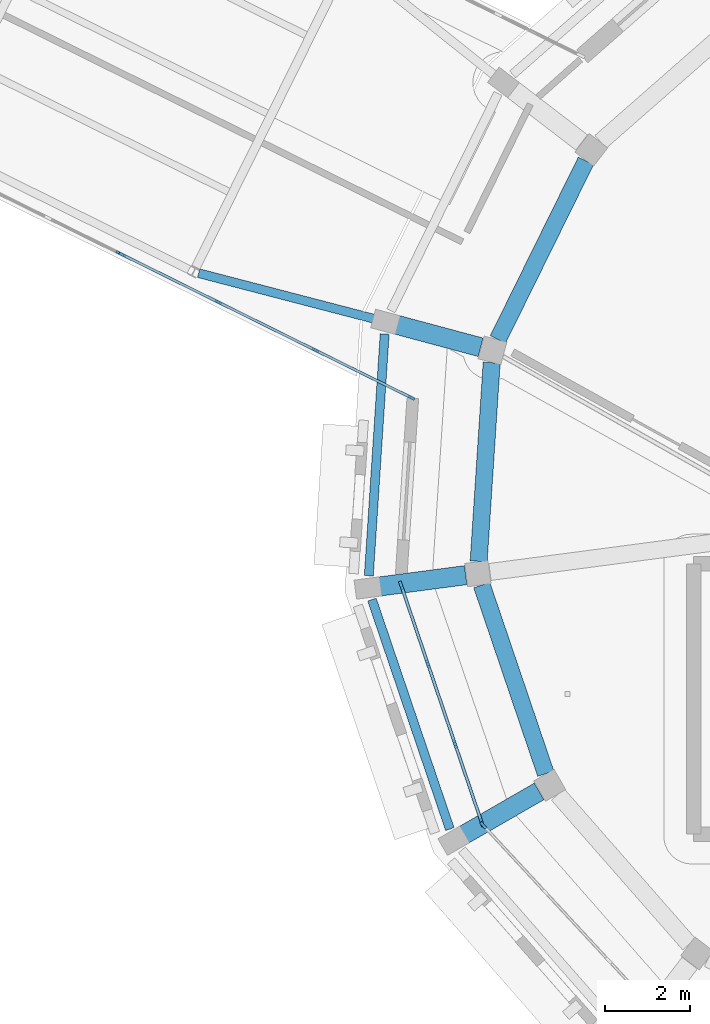
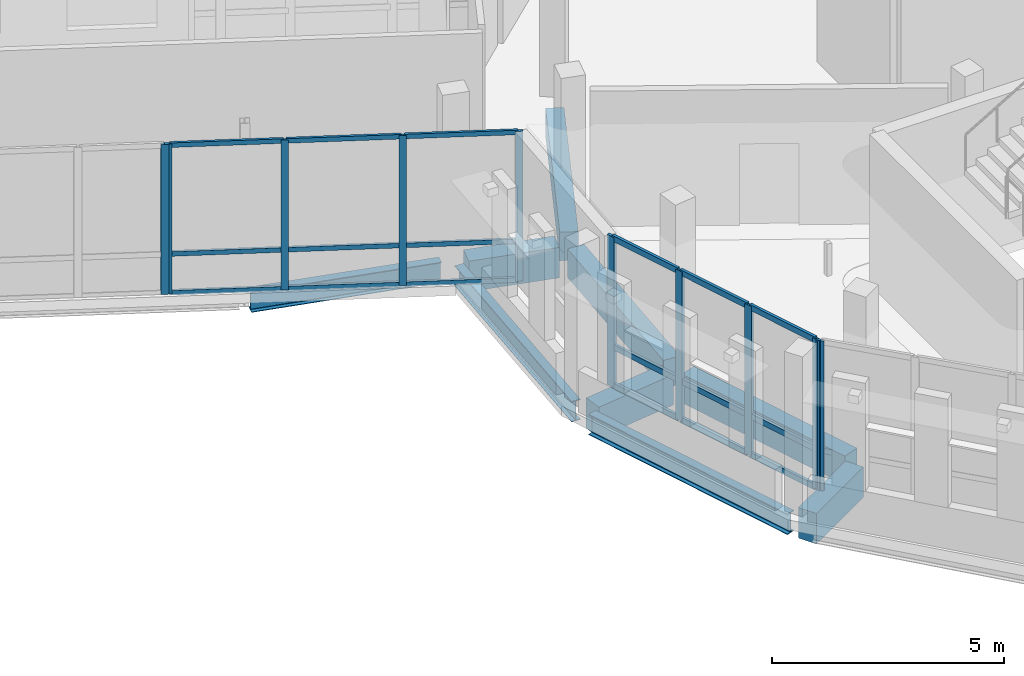
# One storey, part 62 of 125: 28 members, 9 beams, 4 elements without a shape of their own.
"""IFC4 building model written with IfcOpenShell, lengths in metres."""

from ifc_helpers import new_model, si_unit, direction, frame, origin, origin_2d, place, context, subcontext, project, spatial, rectangle, i_section, extrude, material, material_profile, profile_set, type_object, element, aggregate, save


model = new_model("IFC4")

# Units and contexts
model_context = context("Model", 3, precision=1e-05, world=origin(), true_north=direction((0.0, 1.0)))
body_context = subcontext(model_context, "Body", "Model", "MODEL_VIEW")
ifc_project = project(units=[si_unit("LENGTHUNIT", "METRE"), si_unit("AREAUNIT", "SQUARE_METRE"), si_unit("VOLUMEUNIT", "CUBIC_METRE"), si_unit("PLANEANGLEUNIT", "RADIAN"), si_unit("MASSUNIT", "GRAM", prefix="KILO")], contexts=[model_context])

# Site, building, storey
site_placement = place(None, origin())
site = spatial("IfcSite", under=ifc_project, at=site_placement, CompositionType="ELEMENT")
building_placement = place(site_placement, origin())
building = spatial("IfcBuilding", under=site, at=building_placement, Name="Wrenclough Park School", CompositionType="ELEMENT")
storey_placement = place(building_placement, frame((0.0, 0.0, 4.199951171875)))
storey = spatial("IfcBuildingStorey", under=building, at=storey_placement, Name="L01", CompositionType="ELEMENT", Elevation=4.199951171875)

# Curtain wall, members
ifc_material_1 = material(Name="Thermally broken aluminium and low-e glass curtain wall", Category="aluminium")
curtain_wall_type_1 = type_object("IfcCurtainWallType", Name="ENV-CW-16", PredefinedType="USERDEFINED", material=ifc_material_1)
curtain_wall_1_placement = place(storey_placement, origin())
curtain_wall_1 = element("IfcCurtainWall", 1, at=curtain_wall_1_placement, inside=storey, type_object=curtain_wall_type_1, Name="L01 recessed curtain wall assembly 159", ObjectType="CURTAIN WALL", PredefinedType="USERDEFINED")
ifc_material_2 = material(Name="Thermally broken anodised aluminium", Category="aluminium")
ifc_material_profile_1 = material_profile(ifc_material_2, rectangle(XDim=0.06005859375, YDim=0.159912109375, at=origin_2d()), Name="AL MULLION 60x160")
ifc_profile_set_1 = profile_set([ifc_material_profile_1], Name="Thermally broken anodised aluminium")
member_type_1 = type_object("IfcMemberType", Name="ENV-CWM-1", PredefinedType="MULLION", material=ifc_profile_set_1)
member_1_placement = place(storey_placement, frame((159.607666015625, 95.87109375, 0.0), z_axis=(0.0, 0.0, 1.0), x_axis=(-0.443514696909, -0.896267099488, 0.0)))
member_1 = element("IfcMember", 2, at=member_1_placement, type_object=member_type_1, Name="CW-16 mullion 1", PredefinedType="MULLION", context=body_context, shape_type="SweptSolid", body=[
    extrude(rectangle(XDim=0.06005859375, YDim=0.159912109375, at=origin_2d()), origin(), (0.0, 0.0, 1.0), 3.93994140625),
])
member_2_placement = place(storey_placement, frame((157.3544921875, 96.986083984375, 0.0), z_axis=(0.0, 0.0, 1.0), x_axis=(-0.443514696909, -0.896267099488, 0.0)))
member_2 = element("IfcMember", 3, at=member_2_placement, type_object=member_type_1, Name="CW-16 mullion 2", PredefinedType="MULLION", context=body_context, shape_type="SweptSolid", body=[
    extrude(rectangle(XDim=0.06005859375, YDim=0.159912109375, at=origin_2d()), origin(), (0.0, 0.0, 1.0), 3.93994140625),
])
member_3_placement = place(storey_placement, frame((155.074462890625, 98.1142578125, 0.0), z_axis=(0.0, 0.0, 1.0), x_axis=(-0.443514696909, -0.896267099488, 0.0)))
member_3 = element("IfcMember", 4, at=member_3_placement, type_object=member_type_1, Name="CW-16 mullion 3", PredefinedType="MULLION", context=body_context, shape_type="SweptSolid", body=[
    extrude(rectangle(XDim=0.06005859375, YDim=0.159912109375, at=origin_2d()), origin(), (0.0, 0.0, 1.0), 3.93994140625),
])
member_4_placement = place(storey_placement, frame((152.8212890625, 99.229248046875, 0.0), z_axis=(0.0, 0.0, 1.0), x_axis=(-0.443514696909, -0.896267099488, 0.0)))
member_4 = element("IfcMember", 5, at=member_4_placement, type_object=member_type_1, Name="CW-16 mullion 4", PredefinedType="MULLION", context=body_context, shape_type="SweptSolid", body=[
    extrude(rectangle(XDim=0.06005859375, YDim=0.159912109375, at=origin_2d()), origin(), (0.0, 0.0, 1.0), 3.93994140625),
])

# Curtain wall, member
curtain_wall_type_2 = type_object("IfcCurtainWallType", Name="ENV-CW-14", PredefinedType="USERDEFINED", material=ifc_material_1)
curtain_wall_2_placement = place(storey_placement, origin())
curtain_wall_2 = element("IfcCurtainWall", 6, at=curtain_wall_2_placement, inside=storey, type_object=curtain_wall_type_2, Name="L01 recessed curtain wall assembly 157", ObjectType="CURTAIN WALL", PredefinedType="USERDEFINED")
ifc_material_profile_2 = material_profile(ifc_material_2, rectangle(XDim=0.06494140625, YDim=0.179931640625, at=origin_2d()), Name="AL MULLION 65x180")
ifc_profile_set_2 = profile_set([ifc_material_profile_2], Name="Thermally broken anodised aluminium")
member_type_2 = type_object("IfcMemberType", Name="ENV-CWM-2", PredefinedType="MULLION", material=ifc_profile_set_2)
member_5_placement = place(storey_placement, frame((161.2939453125, 85.83447265625, 0.0), z_axis=(0.0, 0.0, 1.0), x_axis=(-0.733012925047, -0.68021471001, 0.0)))
member_5 = element("IfcMember", 7, at=member_5_placement, type_object=member_type_2, Name="CW-14 mullion 4", PredefinedType="MULLION", context=body_context, shape_type="SweptSolid", body=[
    extrude(rectangle(XDim=0.06494140625, YDim=0.179931640625, at=origin_2d()), origin(), (0.0, 0.0, 1.0), 3.93994140625),
])
aggregate(curtain_wall_2, [member_5])

curtain_wall_type_3 = type_object("IfcCurtainWallType", Name="ENV-CW-01", PredefinedType="USERDEFINED", material=ifc_material_1)
curtain_wall_3_placement = place(storey_placement, origin())
curtain_wall_3 = element("IfcCurtainWall", 8, at=curtain_wall_3_placement, inside=storey, type_object=curtain_wall_type_3, Name="L01 recessed curtain wall assembly 160", ObjectType="CURTAIN WALL", PredefinedType="USERDEFINED")
member_6_placement = place(storey_placement, frame((152.758056640625, 99.260498046875, 0.0), z_axis=(0.0, 0.0, 1.0), x_axis=(-0.443504171144, -0.896272308051, 0.0)))
member_6 = element("IfcMember", 9, at=member_6_placement, type_object=member_type_2, Name="CW-01 mullion 1", PredefinedType="MULLION", context=body_context, shape_type="SweptSolid", body=[
    extrude(rectangle(XDim=0.06494140625, YDim=0.179931640625, at=origin_2d()), origin(), (0.0, 0.0, 1.0), 3.93994140625),
])
aggregate(curtain_wall_3, [member_6])

# Curtain wall, members
curtain_wall_type_4 = type_object("IfcCurtainWallType", Name="ENV-CW-15", PredefinedType="USERDEFINED", material=ifc_material_1)
curtain_wall_4_placement = place(storey_placement, origin())
curtain_wall_4 = element("IfcCurtainWall", 10, at=curtain_wall_4_placement, inside=storey, type_object=curtain_wall_type_4, Name="L01 recessed curtain wall assembly 158", ObjectType="CURTAIN WALL", PredefinedType="USERDEFINED")
ifc_material_profile_3 = material_profile(ifc_material_2, rectangle(XDim=0.070068359375, YDim=0.199951171875, at=origin_2d()), Name="AL MULLION 70x200")
ifc_profile_set_3 = profile_set([ifc_material_profile_3], Name="Thermally broken anodised aluminium")
member_type_3 = type_object("IfcMemberType", Name="ENV-CWM-3", PredefinedType="MULLION", material=ifc_profile_set_3)
member_7_placement = place(storey_placement, frame((161.256591796875, 85.89794921875, 0.0), z_axis=(0.0, 0.0, 1.0), x_axis=(-0.946933787668, -0.321428688473, 0.0)))
member_7 = element("IfcMember", 11, at=member_7_placement, type_object=member_type_3, Name="CW-15 mullion 1", PredefinedType="MULLION", context=body_context, shape_type="SweptSolid", body=[
    extrude(rectangle(XDim=0.070068359375, YDim=0.199951171875, at=origin_2d()), origin(), (0.0, 0.0, 1.0), 3.93994140625),
])
member_8_placement = place(storey_placement, frame((160.6298828125, 87.743896484375, 0.0), z_axis=(0.0, 0.0, 1.0), x_axis=(-0.946933787668, -0.321428688473, 0.0)))
member_8 = element("IfcMember", 12, at=member_8_placement, type_object=member_type_3, Name="CW-15 mullion 2", PredefinedType="MULLION", context=body_context, shape_type="SweptSolid", body=[
    extrude(rectangle(XDim=0.070068359375, YDim=0.199951171875, at=origin_2d()), origin(), (0.0, 0.0, 1.0), 3.93994140625),
])
member_9_placement = place(storey_placement, frame((159.9921875, 89.623046875, 0.0), z_axis=(0.0, 0.0, 1.0), x_axis=(-0.946933787668, -0.321428688473, 0.0)))
member_9 = element("IfcMember", 13, at=member_9_placement, type_object=member_type_3, Name="CW-15 mullion 3", PredefinedType="MULLION", context=body_context, shape_type="SweptSolid", body=[
    extrude(rectangle(XDim=0.070068359375, YDim=0.199951171875, at=origin_2d()), origin(), (0.0, 0.0, 1.0), 3.93994140625),
])
member_10_placement = place(storey_placement, frame((159.365478515625, 91.468994140625, 0.0), z_axis=(0.0, 0.0, 1.0), x_axis=(-0.946933787668, -0.321428688473, 0.0)))
member_10 = element("IfcMember", 14, at=member_10_placement, type_object=member_type_3, Name="CW-15 mullion 4", PredefinedType="MULLION", context=body_context, shape_type="SweptSolid", body=[
    extrude(rectangle(XDim=0.070068359375, YDim=0.199951171875, at=origin_2d()), origin(), (0.0, 0.0, 1.0), 3.93994140625),
])

# Member
ifc_material_profile_4 = material_profile(ifc_material_2, rectangle(XDim=0.06005859375, YDim=0.1201171875, at=origin_2d()), Name="AL TRANSOM 60x120")
ifc_profile_set_4 = profile_set([ifc_material_profile_4], Name="Thermally broken anodised aluminium")
member_type_4 = type_object("IfcMemberType", Name="ENV-CWT-1", PredefinedType="USERDEFINED", material=ifc_profile_set_4)
member_11_placement = place(storey_placement, frame((159.580810546875, 95.88427734375, 0.030029296875), z_axis=(-0.896269975218, 0.443508885506, 0.0), x_axis=(-0.443508885506, -0.896269975218, 0.0)))
member_11 = element("IfcMember", 15, at=member_11_placement, type_object=member_type_4, Name="CW-16 transom 1.1", ObjectType="TRANSOM", PredefinedType="USERDEFINED", context=body_context, shape_type="SweptSolid", body=[
    extrude(rectangle(XDim=0.06005859375, YDim=0.1201171875, at=origin_2d()), origin(), (0.0, 0.0, 1.0), 2.4541015625),
])

member_12_placement = place(storey_placement, frame((159.580810546875, 95.88427734375, 1.050048828125), z_axis=(-0.896269975218, 0.443508885506, 0.0), x_axis=(-0.443508885506, -0.896269975218, 0.0)))
member_12 = element("IfcMember", 16, at=member_12_placement, type_object=member_type_4, Name="CW-16 transom 1.2", ObjectType="TRANSOM", PredefinedType="USERDEFINED", context=body_context, shape_type="SweptSolid", body=[
    extrude(rectangle(XDim=0.06005859375, YDim=0.1201171875, at=origin_2d()), origin(), (0.0, 0.0, 1.0), 2.4541015625),
])

member_13_placement = place(storey_placement, frame((159.580810546875, 95.88427734375, 3.91015625), z_axis=(-0.896269975218, 0.443508885506, 0.0), x_axis=(-0.443508885506, -0.896269975218, 0.0)))
member_13 = element("IfcMember", 17, at=member_13_placement, type_object=member_type_4, Name="CW-16 transom 1.3", ObjectType="TRANSOM", PredefinedType="USERDEFINED", context=body_context, shape_type="SweptSolid", body=[
    extrude(rectangle(XDim=0.06005859375, YDim=0.1201171875, at=origin_2d()), origin(), (0.0, 0.0, 1.0), 2.4541015625),
])

member_14_placement = place(storey_placement, frame((157.32763671875, 96.999267578125, 0.030029296875), z_axis=(-0.896286861873, 0.443474758282, 0.0), x_axis=(-0.443474758282, -0.896286861873, 0.0)))
member_14 = element("IfcMember", 18, at=member_14_placement, type_object=member_type_4, Name="CW-16 transom 2.1", ObjectType="TRANSOM", PredefinedType="USERDEFINED", context=body_context, shape_type="SweptSolid", body=[
    extrude(rectangle(XDim=0.06005859375, YDim=0.1201171875, at=origin_2d()), origin(), (0.0, 0.0, 1.0), 2.48388671875),
])

member_15_placement = place(storey_placement, frame((157.32763671875, 96.999267578125, 1.050048828125), z_axis=(-0.896286861873, 0.443474758282, 0.0), x_axis=(-0.443474758282, -0.896286861873, 0.0)))
member_15 = element("IfcMember", 19, at=member_15_placement, type_object=member_type_4, Name="CW-16 transom 2.2", ObjectType="TRANSOM", PredefinedType="USERDEFINED", context=body_context, shape_type="SweptSolid", body=[
    extrude(rectangle(XDim=0.06005859375, YDim=0.1201171875, at=origin_2d()), origin(), (0.0, 0.0, 1.0), 2.48388671875),
])

member_16_placement = place(storey_placement, frame((157.32763671875, 96.999267578125, 3.91015625), z_axis=(-0.896286861873, 0.443474758282, 0.0), x_axis=(-0.443474758282, -0.896286861873, 0.0)))
member_16 = element("IfcMember", 20, at=member_16_placement, type_object=member_type_4, Name="CW-16 transom 2.3", ObjectType="TRANSOM", PredefinedType="USERDEFINED", context=body_context, shape_type="SweptSolid", body=[
    extrude(rectangle(XDim=0.06005859375, YDim=0.1201171875, at=origin_2d()), origin(), (0.0, 0.0, 1.0), 2.48388671875),
])

member_17_placement = place(storey_placement, frame((155.047607421875, 98.12744140625, 0.030029296875), z_axis=(-0.896269975218, 0.443508885506, 0.0), x_axis=(-0.443508885506, -0.896269975218, 0.0)))
member_17 = element("IfcMember", 21, at=member_17_placement, type_object=member_type_4, Name="CW-16 transom 3.1", ObjectType="TRANSOM", PredefinedType="USERDEFINED", context=body_context, shape_type="SweptSolid", body=[
    extrude(rectangle(XDim=0.06005859375, YDim=0.1201171875, at=origin_2d()), origin(), (0.0, 0.0, 1.0), 2.4541015625),
])

member_18_placement = place(storey_placement, frame((155.047607421875, 98.12744140625, 1.050048828125), z_axis=(-0.896269975218, 0.443508885506, 0.0), x_axis=(-0.443508885506, -0.896269975218, 0.0)))
member_18 = element("IfcMember", 22, at=member_18_placement, type_object=member_type_4, Name="CW-16 transom 3.2", ObjectType="TRANSOM", PredefinedType="USERDEFINED", context=body_context, shape_type="SweptSolid", body=[
    extrude(rectangle(XDim=0.06005859375, YDim=0.1201171875, at=origin_2d()), origin(), (0.0, 0.0, 1.0), 2.4541015625),
])

member_19_placement = place(storey_placement, frame((155.047607421875, 98.12744140625, 3.91015625), z_axis=(-0.896269975218, 0.443508885506, 0.0), x_axis=(-0.443508885506, -0.896269975218, 0.0)))
member_19 = element("IfcMember", 23, at=member_19_placement, type_object=member_type_4, Name="CW-16 transom 3.3", ObjectType="TRANSOM", PredefinedType="USERDEFINED", context=body_context, shape_type="SweptSolid", body=[
    extrude(rectangle(XDim=0.06005859375, YDim=0.1201171875, at=origin_2d()), origin(), (0.0, 0.0, 1.0), 2.4541015625),
])

aggregate(curtain_wall_1, [member_1, member_2, member_3, member_4, member_11, member_12, member_13, member_14, member_15, member_16, member_17, member_18, member_19])

ifc_material_profile_5 = material_profile(ifc_material_2, rectangle(XDim=0.070068359375, YDim=0.14990234375, at=origin_2d()), Name="AL TRANSOM 70x150")
ifc_profile_set_5 = profile_set([ifc_material_profile_5], Name="Thermally broken anodised aluminium")
member_type_5 = type_object("IfcMemberType", Name="ENV-CWT-3", PredefinedType="USERDEFINED", material=ifc_profile_set_5)
member_20_placement = place(storey_placement, frame((161.245361328125, 85.93115234375, 0.03515625), z_axis=(-0.321483543904, 0.946915165682, 0.0), x_axis=(-0.946915165682, -0.321483543904, 0.0)))
member_20 = element("IfcMember", 24, at=member_20_placement, type_object=member_type_5, Name="CW-15 transom 1.1", ObjectType="TRANSOM", PredefinedType="USERDEFINED", context=body_context, shape_type="SweptSolid", body=[
    extrude(rectangle(XDim=0.070068359375, YDim=0.14990234375, at=origin_2d()), origin(), (0.0, 0.0, 1.0), 1.879638671875),
])

member_21_placement = place(storey_placement, frame((161.245361328125, 85.93115234375, 1.050048828125), z_axis=(-0.321483543904, 0.946915165682, 0.0), x_axis=(-0.946915165682, -0.321483543904, 0.0)))
member_21 = element("IfcMember", 25, at=member_21_placement, type_object=member_type_5, Name="CW-15 transom 1.2", ObjectType="TRANSOM", PredefinedType="USERDEFINED", context=body_context, shape_type="SweptSolid", body=[
    extrude(rectangle(XDim=0.070068359375, YDim=0.14990234375, at=origin_2d()), origin(), (0.0, 0.0, 1.0), 1.879638671875),
])

member_22_placement = place(storey_placement, frame((161.245361328125, 85.93115234375, 3.905029296875), z_axis=(-0.321483543904, 0.946915165682, 0.0), x_axis=(-0.946915165682, -0.321483543904, 0.0)))
member_22 = element("IfcMember", 26, at=member_22_placement, type_object=member_type_5, Name="CW-15 transom 1.3", ObjectType="TRANSOM", PredefinedType="USERDEFINED", context=body_context, shape_type="SweptSolid", body=[
    extrude(rectangle(XDim=0.070068359375, YDim=0.14990234375, at=origin_2d()), origin(), (0.0, 0.0, 1.0), 1.879638671875),
])

member_23_placement = place(storey_placement, frame((160.61865234375, 87.777099609375, 0.03515625), z_axis=(-0.321388247225, 0.946947514145, 0.0), x_axis=(-0.946947514145, -0.321388247225, 0.0)))
member_23 = element("IfcMember", 27, at=member_23_placement, type_object=member_type_5, Name="CW-15 transom 2.1", ObjectType="TRANSOM", PredefinedType="USERDEFINED", context=body_context, shape_type="SweptSolid", body=[
    extrude(rectangle(XDim=0.070068359375, YDim=0.14990234375, at=origin_2d()), origin(), (0.0, 0.0, 1.0), 1.914306640625),
])

member_24_placement = place(storey_placement, frame((160.61865234375, 87.777099609375, 1.050048828125), z_axis=(-0.321388247225, 0.946947514145, 0.0), x_axis=(-0.946947514145, -0.321388247225, 0.0)))
member_24 = element("IfcMember", 28, at=member_24_placement, type_object=member_type_5, Name="CW-15 transom 2.2", ObjectType="TRANSOM", PredefinedType="USERDEFINED", context=body_context, shape_type="SweptSolid", body=[
    extrude(rectangle(XDim=0.070068359375, YDim=0.14990234375, at=origin_2d()), origin(), (0.0, 0.0, 1.0), 1.914306640625),
])

member_25_placement = place(storey_placement, frame((160.61865234375, 87.777099609375, 3.905029296875), z_axis=(-0.321388247225, 0.946947514145, 0.0), x_axis=(-0.946947514145, -0.321388247225, 0.0)))
member_25 = element("IfcMember", 29, at=member_25_placement, type_object=member_type_5, Name="CW-15 transom 2.3", ObjectType="TRANSOM", PredefinedType="USERDEFINED", context=body_context, shape_type="SweptSolid", body=[
    extrude(rectangle(XDim=0.070068359375, YDim=0.14990234375, at=origin_2d()), origin(), (0.0, 0.0, 1.0), 1.914306640625),
])

member_26_placement = place(storey_placement, frame((159.98095703125, 89.65625, 0.03515625), z_axis=(-0.321523090008, 0.946901738615, 0.0), x_axis=(-0.946901738615, -0.321523090008, 0.0)))
member_26 = element("IfcMember", 30, at=member_26_placement, type_object=member_type_5, Name="CW-15 transom 3.1", ObjectType="TRANSOM", PredefinedType="USERDEFINED", context=body_context, shape_type="SweptSolid", body=[
    extrude(rectangle(XDim=0.070068359375, YDim=0.14990234375, at=origin_2d()), origin(), (0.0, 0.0, 1.0), 1.87939453125),
])

member_27_placement = place(storey_placement, frame((159.98095703125, 89.65625, 1.050048828125), z_axis=(-0.321523090008, 0.946901738615, 0.0), x_axis=(-0.946901738615, -0.321523090008, 0.0)))
member_27 = element("IfcMember", 31, at=member_27_placement, type_object=member_type_5, Name="CW-15 transom 3.2", ObjectType="TRANSOM", PredefinedType="USERDEFINED", context=body_context, shape_type="SweptSolid", body=[
    extrude(rectangle(XDim=0.070068359375, YDim=0.14990234375, at=origin_2d()), origin(), (0.0, 0.0, 1.0), 1.87939453125),
])

member_28_placement = place(storey_placement, frame((159.98095703125, 89.65625, 3.905029296875), z_axis=(-0.321523090008, 0.946901738615, 0.0), x_axis=(-0.946901738615, -0.321523090008, 0.0)))
member_28 = element("IfcMember", 32, at=member_28_placement, type_object=member_type_5, Name="CW-15 transom 3.3", ObjectType="TRANSOM", PredefinedType="USERDEFINED", context=body_context, shape_type="SweptSolid", body=[
    extrude(rectangle(XDim=0.070068359375, YDim=0.14990234375, at=origin_2d()), origin(), (0.0, 0.0, 1.0), 1.87939453125),
])

aggregate(curtain_wall_4, [member_7, member_8, member_9, member_10, member_20, member_21, member_22, member_23, member_24, member_25, member_26, member_27, member_28])

# Beams
ifc_material_3 = material(Name="Concrete C35/45", Category="concrete")
ifc_material_profile_6 = material_profile(ifc_material_3, rectangle(XDim=0.39990234375, YDim=0.75, at=origin_2d()), Name="RC BEAM 400x750")
ifc_profile_set_6 = profile_set([ifc_material_profile_6], Name="Concrete C35/45")
beam_type_1 = type_object("IfcBeamType", Name="STR-BM-RC400B", PredefinedType="BEAM", material=ifc_profile_set_6)
beam_1_placement = place(storey_placement, frame((163.701904296875, 101.429443359375, -0.639892578125), z_axis=(-0.442273481226, -0.896880241617, 0.0), x_axis=(0.896880241617, -0.442273481226, 0.0)))
element("IfcBeam", 33, at=beam_1_placement, inside=storey, type_object=beam_type_1, Name="D5 L01 middle ring beam 7", PredefinedType="BEAM", context=body_context, shape_type="SweptSolid", body=[
    extrude(rectangle(XDim=0.39990234375, YDim=0.75, at=origin_2d()), origin(), (0.0, 0.0, 1.0), 4.671630859375),
])
for number, where, z_axis, x_axis, name in (
    (34, (161.489501953125, 96.693603515625, -0.639892578125), (-0.065426418457, -0.997857396509, 0.0), (0.997857396509, -0.065426418457, 0.0), "D5 L01 middle ring beam 8"),
    (35, (161.2578125, 91.4716796875, -0.639892578125), (0.321427721776, -0.946934115804, 0.0), (0.946934115804, 0.321427721776, 0.0), "D5 L01 middle ring beam 9"),
):
    element("IfcBeam", number, at=place(storey_placement, frame(where, z_axis=z_axis, x_axis=x_axis)), inside=storey, type_object=beam_type_1, Name=name, PredefinedType="BEAM", context=body_context, shape_type="SweptSolid", body=[
        extrude(rectangle(XDim=0.39990234375, YDim=0.75, at=origin_2d()), origin(), (0.0, 0.0, 1.0), 4.671875),
    ])
ifc_material_4 = material(Name="Concrete C40/50", Category="concrete")
ifc_material_profile_7 = material_profile(ifc_material_4, rectangle(XDim=0.449951171875, YDim=0.800048828125, at=origin_2d()), Name="RC BEAM 450x800")
ifc_profile_set_7 = profile_set([ifc_material_profile_7], Name="Concrete C40/50")
beam_type_2 = type_object("IfcBeamType", Name="STR-BM-RC450", PredefinedType="BEAM", material=ifc_profile_set_7)
beam_2_placement = place(storey_placement, frame((159.275146484375, 97.57958984375, -0.6650390625), z_axis=(0.965909815931, -0.258878789183, 0.0), x_axis=(0.258878789183, 0.965909815931, 0.0)))
element("IfcBeam", 36, at=beam_2_placement, inside=storey, type_object=beam_type_2, Name="D5 L01 radial girder 8", PredefinedType="BEAM", context=body_context, shape_type="SweptSolid", body=[
    extrude(rectangle(XDim=0.449951171875, YDim=0.800048828125, at=origin_2d()), origin(), (0.0, 0.0, 1.0), 2.02392578125),
])
for number, where, z_axis, x_axis, name in (
    (37, (158.872802734375, 91.442626953125, -0.6650390625), (0.991447725786, 0.130504433005, 0.0), (-0.130504433005, 0.991447725786, 0.0), "D5 L01 radial girder 9"),
    (38, (160.849609375, 85.618896484375, -0.6650390625), (0.865992756901, 0.500056541798, 0.0), (-0.500056541798, 0.865992756901, 0.0), "D5 L01 radial girder 10"),
):
    element("IfcBeam", number, at=place(storey_placement, frame(where, z_axis=z_axis, x_axis=x_axis)), inside=storey, type_object=beam_type_2, Name=name, PredefinedType="BEAM", context=body_context, shape_type="SweptSolid", body=[
        extrude(rectangle(XDim=0.449951171875, YDim=0.800048828125, at=origin_2d()), origin(), (0.0, 0.0, 1.0), 2.024169921875),
    ])
ifc_material_5 = material(Name="Structural steel S355", Category="steel")
ifc_material_profile_8 = material_profile(ifc_material_5, i_section(OverallWidth=0.209228515625, OverallDepth=0.533203125, WebThickness=0.010009765625, FlangeThickness=0.015625, FilletRadius=0.0126953125, at=origin_2d()), Name="UKB 533x210x92")
ifc_profile_set_8 = profile_set([ifc_material_profile_8], Name="Structural steel S355")
beam_type_3 = type_object("IfcBeamType", Name="STR-BM-UKB533A", PredefinedType="BEAM", material=ifc_profile_set_8)
beam_3_placement = place(storey_placement, frame((154.6123046875, 98.79443359375, -0.531494140625), z_axis=(0.967804005023, -0.251705001663, 0.0), x_axis=(0.251705001663, 0.967804005023, 0.0)))
element("IfcBeam", 39, at=beam_3_placement, inside=storey, type_object=beam_type_3, Name="W45 L01 drum junction tie beam 53", PredefinedType="BEAM", context=body_context, shape_type="SweptSolid", body=[
    extrude(i_section(OverallWidth=0.209228515625, OverallDepth=0.533203125, WebThickness=0.010009765625, FlangeThickness=0.015625, FilletRadius=0.0126953125, at=origin_2d()), origin(), (0.0, 0.0, 1.0), 4.242431640625),
])
ifc_material_profile_9 = material_profile(ifc_material_5, i_section(OverallWidth=0.210693359375, OverallDepth=0.53955078125, WebThickness=0.01171875, FlangeThickness=0.018798828125, FilletRadius=0.0126953125, at=origin_2d()), Name="UKB 533x210x109")
ifc_profile_set_9 = profile_set([ifc_material_profile_9], Name="Structural steel S355")
beam_type_4 = type_object("IfcBeamType", Name="STR-BM-UKB533B", PredefinedType="SPANDREL", material=ifc_profile_set_9)
beam_4_placement = place(storey_placement, frame((158.97802734375, 97.36669921875, -0.53466796875), z_axis=(-0.065387689577, -0.997859935087, 0.0), x_axis=(0.997859935087, -0.065387689577, 0.0)))
element("IfcBeam", 40, at=beam_4_placement, inside=storey, type_object=beam_type_4, Name="D5 L01 outer ring spandrel beam 8", PredefinedType="SPANDREL", context=body_context, shape_type="SweptSolid", body=[
    extrude(i_section(OverallWidth=0.210693359375, OverallDepth=0.53955078125, WebThickness=0.01171875, FlangeThickness=0.018798828125, FilletRadius=0.0126953125, at=origin_2d()), origin(), (0.0, 0.0, 1.0), 5.6865234375),
])
beam_5_placement = place(storey_placement, frame((158.679931640625, 91.13232421875, -0.53466796875), z_axis=(0.321452413146, -0.946925734196, 0.0), x_axis=(0.946925734196, 0.321452413146, 0.0)))
element("IfcBeam", 41, at=beam_5_placement, inside=storey, type_object=beam_type_4, Name="D5 L01 outer ring spandrel beam 9", PredefinedType="SPANDREL", context=body_context, shape_type="SweptSolid", body=[
    extrude(i_section(OverallWidth=0.210693359375, OverallDepth=0.53955078125, WebThickness=0.01171875, FlangeThickness=0.018798828125, FilletRadius=0.0126953125, at=origin_2d()), origin(), (0.0, 0.0, 1.0), 5.686279296875),
])

save(model, "model.ifc")
